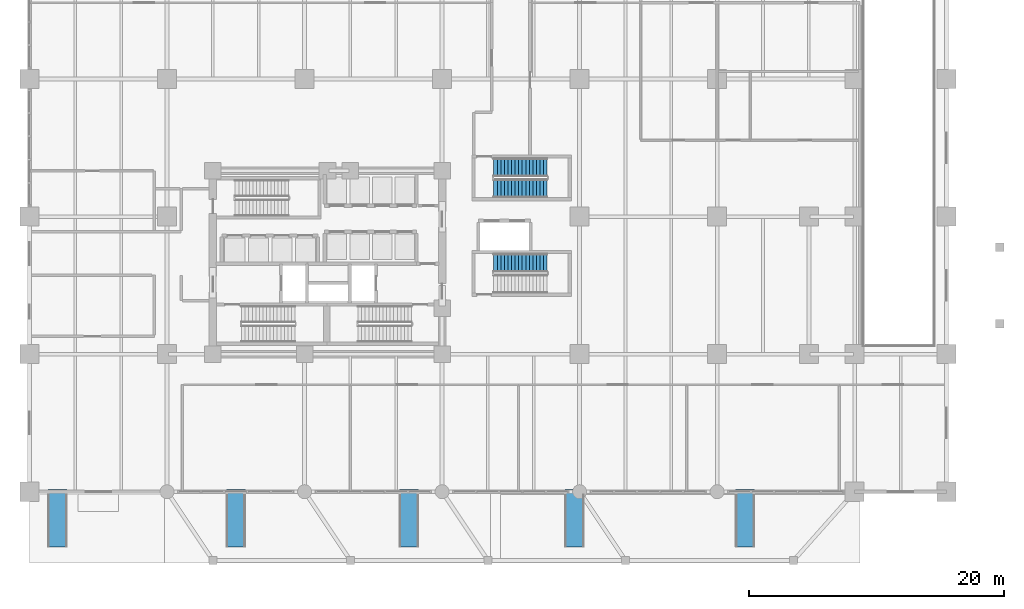
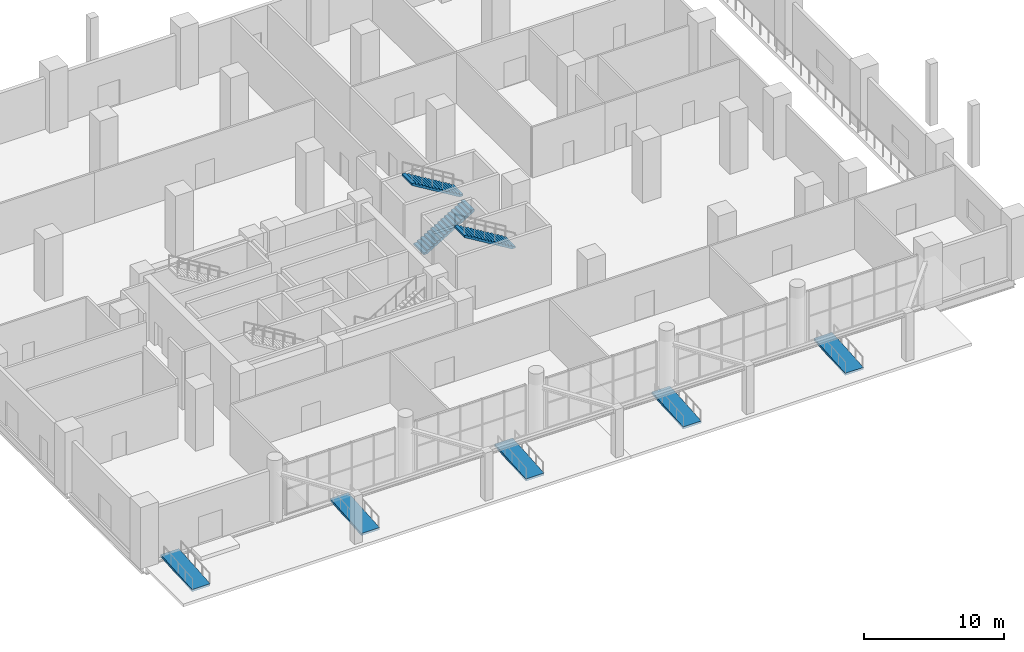
# One storey, part 17 of 22: 5 ramp flights, 3 stair flights, 7 elements without a shape of their own.
"""IFC4 building model written with IfcOpenShell, lengths in metres."""

from ifc_helpers import new_model, si_unit, direction, frame, origin, place, context, subcontext, project, spatial, polyline, outline, extrude, material, layer, layer_set, type_object, element, aggregate, save


model = new_model("IFC4")

# Units and contexts
model_context = context("Model", 3, precision=1e-05, world=origin(), true_north=direction((0.0, 1.0)))
body_context = subcontext(model_context, "Body", "Model", "MODEL_VIEW")
ifc_project = project(units=[si_unit("LENGTHUNIT", "METRE"), si_unit("AREAUNIT", "SQUARE_METRE"), si_unit("VOLUMEUNIT", "CUBIC_METRE"), si_unit("PLANEANGLEUNIT", "RADIAN"), si_unit("MASSUNIT", "GRAM", prefix="KILO")], contexts=[model_context])

# Site, building, storey
site_placement = place(None, origin())
site = spatial("IfcSite", under=ifc_project, at=site_placement, CompositionType="ELEMENT")
building_placement = place(site_placement, origin())
building = spatial("IfcBuilding", under=site, at=building_placement, Name="Solnavia Interchange Tower", CompositionType="ELEMENT")
storey_placement = place(building_placement, origin())
storey = spatial("IfcBuildingStorey", under=building, at=storey_placement, Name="L00", CompositionType="ELEMENT", Elevation=0.0)

# Stair, stair flight
ifc_material = material(Name="Concrete C40/50", Category="concrete")
stair_type = type_object("IfcStairType", Name="Stair-Dogleg-RC", PredefinedType="HALF_TURN_STAIR", material=ifc_material)
stair_1_placement = place(storey_placement, origin())
stair_1 = element("IfcStair", 1, at=stair_1_placement, inside=storey, type_object=stair_type, Name="L00 Podium exit stair 1", PredefinedType="HALF_TURN_STAIR")
stair_flight_type = type_object("IfcStairFlightType", Name="StairFlight-RC-150", PredefinedType="STRAIGHT", material=ifc_material)
stair_flight_1_placement = place(storey_placement, frame((40.64990234375, 17.97509765625, 2.699951171875), z_axis=(0.0, 0.0, 1.0), x_axis=(-1.0, 0.0, 0.0)))
stair_flight_1 = element("IfcStairFlight", 2, at=stair_flight_1_placement, type_object=stair_flight_type, Name="ST-P1 flight 2", NumberOfRisers=16, NumberOfTreads=15, PredefinedType="STRAIGHT", RiserHeight=0.16875, TreadLength=0.28, context=body_context, shape_type="SweptSolid", body=[
    extrude(outline(polyline([(0.0, 0.0), (0.0, 0.168701171875), (0.280029296875, 0.168701171875), (0.280029296875, 0.33740234375), (0.56005859375, 0.33740234375), (0.56005859375, 0.50634765625), (0.840087890625, 0.50634765625), (0.840087890625, 0.675048828125), (1.1201171875, 0.675048828125), (1.1201171875, 0.84375), (1.39990234375, 0.84375), (1.39990234375, 1.012451171875), (1.679931640625, 1.012451171875), (1.679931640625, 1.18115234375), (1.9599609375, 1.18115234375), (1.9599609375, 1.35009765625), (2.239990234375, 1.35009765625), (2.239990234375, 1.518798828125), (2.52001953125, 1.518798828125), (2.52001953125, 1.6875), (2.800048828125, 1.6875), (2.800048828125, 1.856201171875), (3.080078125, 1.856201171875), (3.080078125, 2.02490234375), (3.360107421875, 2.02490234375), (3.360107421875, 2.19384765625), (3.639892578125, 2.19384765625), (3.639892578125, 2.362548828125), (3.919921875, 2.362548828125), (3.919921875, 2.53125), (4.199951171875, 2.53125), (4.199951171875, 2.699951171875), (4.199951171875, 2.356201171875), (0.29052734375, 0.0), (0.0, 0.0)])), frame((0.0, 0.72509765625, 0.0), z_axis=(0.0, -1.0, 0.0), x_axis=(1.0, 0.0, 0.0)), (0.0, 0.0, 1.0), 1.449951171875),
])
aggregate(stair_1, [stair_flight_1])

# Stair, stair flights
stair_2_placement = place(storey_placement, origin())
stair_2 = element("IfcStair", 3, at=stair_2_placement, inside=storey, type_object=stair_type, Name="L00 Podium exit stair 2", PredefinedType="HALF_TURN_STAIR")
stair_flight_2_placement = place(storey_placement, frame((36.449951171875, 23.824951171875, 0.0), z_axis=(0.0, 0.0, 1.0), x_axis=(1.0, 0.0, 0.0)))
stair_flight_2 = element("IfcStairFlight", 4, at=stair_flight_2_placement, type_object=stair_flight_type, Name="ST-P2 flight 1", NumberOfRisers=16, NumberOfTreads=15, PredefinedType="STRAIGHT", RiserHeight=0.16875, TreadLength=0.28, context=body_context, shape_type="SweptSolid", body=[
    extrude(outline(polyline([(0.0, 0.0), (0.0, 0.168701171875), (0.280029296875, 0.168701171875), (0.280029296875, 0.33740234375), (0.56005859375, 0.33740234375), (0.56005859375, 0.50634765625), (0.840087890625, 0.50634765625), (0.840087890625, 0.675048828125), (1.1201171875, 0.675048828125), (1.1201171875, 0.84375), (1.39990234375, 0.84375), (1.39990234375, 1.012451171875), (1.679931640625, 1.012451171875), (1.679931640625, 1.18115234375), (1.9599609375, 1.18115234375), (1.9599609375, 1.35009765625), (2.239990234375, 1.35009765625), (2.239990234375, 1.518798828125), (2.52001953125, 1.518798828125), (2.52001953125, 1.6875), (2.800048828125, 1.6875), (2.800048828125, 1.856201171875), (3.080078125, 1.856201171875), (3.080078125, 2.02490234375), (3.360107421875, 2.02490234375), (3.360107421875, 2.19384765625), (3.639892578125, 2.19384765625), (3.639892578125, 2.362548828125), (3.919921875, 2.362548828125), (3.919921875, 2.53125), (4.199951171875, 2.53125), (4.199951171875, 2.699951171875), (4.199951171875, 2.356201171875), (0.29052734375, 0.0), (0.0, 0.0)])), frame((0.0, 0.72509765625, 0.0), z_axis=(0.0, -1.0, 0.0), x_axis=(1.0, 0.0, 0.0)), (0.0, 0.0, 1.0), 1.449951171875),
])
stair_flight_3_placement = place(storey_placement, frame((40.64990234375, 25.47509765625, 2.699951171875), z_axis=(0.0, 0.0, 1.0), x_axis=(-1.0, 0.0, 0.0)))
stair_flight_3 = element("IfcStairFlight", 5, at=stair_flight_3_placement, type_object=stair_flight_type, Name="ST-P2 flight 2", NumberOfRisers=16, NumberOfTreads=15, PredefinedType="STRAIGHT", RiserHeight=0.16875, TreadLength=0.28, context=body_context, shape_type="SweptSolid", body=[
    extrude(outline(polyline([(0.0, 0.0), (0.0, 0.168701171875), (0.280029296875, 0.168701171875), (0.280029296875, 0.33740234375), (0.56005859375, 0.33740234375), (0.56005859375, 0.50634765625), (0.840087890625, 0.50634765625), (0.840087890625, 0.675048828125), (1.1201171875, 0.675048828125), (1.1201171875, 0.84375), (1.39990234375, 0.84375), (1.39990234375, 1.012451171875), (1.679931640625, 1.012451171875), (1.679931640625, 1.18115234375), (1.9599609375, 1.18115234375), (1.9599609375, 1.35009765625), (2.239990234375, 1.35009765625), (2.239990234375, 1.518798828125), (2.52001953125, 1.518798828125), (2.52001953125, 1.6875), (2.800048828125, 1.6875), (2.800048828125, 1.856201171875), (3.080078125, 1.856201171875), (3.080078125, 2.02490234375), (3.360107421875, 2.02490234375), (3.360107421875, 2.19384765625), (3.639892578125, 2.19384765625), (3.639892578125, 2.362548828125), (3.919921875, 2.362548828125), (3.919921875, 2.53125), (4.199951171875, 2.53125), (4.199951171875, 2.699951171875), (4.199951171875, 2.356201171875), (0.29052734375, 0.0), (0.0, 0.0)])), frame((0.0, 0.72509765625, 0.0), z_axis=(0.0, -1.0, 0.0), x_axis=(1.0, 0.0, 0.0)), (0.0, 0.0, 1.0), 1.449951171875),
])
aggregate(stair_2, [stair_flight_2, stair_flight_3])

# Ramp, ramp flight
ramp_type = type_object("IfcRampType", Name="Ramp-Access-Str", PredefinedType="STRAIGHT_RUN_RAMP", material=ifc_material)
ramp_1_placement = place(storey_placement, origin())
ramp_1 = element("IfcRamp", 6, at=ramp_1_placement, inside=storey, type_object=ramp_type, Name="RMP-L00-A1 Promenade step-free entrance ramp", PredefinedType="STRAIGHT_RUN_RAMP")
ifc_layer = layer(ifc_material, 0.199951171875)
ifc_layer_set = layer_set([ifc_layer], Name="Concrete C40/50")
ramp_flight_type = type_object("IfcRampFlightType", Name="RampFlight-Access-200", PredefinedType="STRAIGHT", material=ifc_layer_set)
ramp_flight_1_placement = place(storey_placement, frame((1.449951171875, -4.35009765625, -0.35009765625), z_axis=(0.0, -0.077565091902, 0.996987290049), x_axis=(1.0, 0.0, 0.0)))
ramp_flight_1 = element("IfcRampFlight", 7, at=ramp_flight_1_placement, type_object=ramp_flight_type, Name="RMP-L00-A1-F1 Accessible threshold ramp flight", PredefinedType="STRAIGHT", context=body_context, shape_type="SweptSolid", body=[
    extrude(outline(polyline([(0.0, 0.0), (1.5, 0.0), (1.5, 4.513598162099916), (0.0, 4.513598162099916), (0.0, 0.0)])), origin(), (0.0, 0.0, -1.0), 0.199951171875),
])
aggregate(ramp_1, [ramp_flight_1])

ramp_2_placement = place(storey_placement, origin())
ramp_2 = element("IfcRamp", 8, at=ramp_2_placement, inside=storey, type_object=ramp_type, Name="RMP-L00-A2 Promenade step-free entrance ramp", PredefinedType="STRAIGHT_RUN_RAMP")
ramp_flight_2_placement = place(storey_placement, frame((15.449951171875, -4.35009765625, -0.35009765625), z_axis=(0.0, -0.077565091902, 0.996987290049), x_axis=(1.0, 0.0, 0.0)))
ramp_flight_2 = element("IfcRampFlight", 9, at=ramp_flight_2_placement, type_object=ramp_flight_type, Name="RMP-L00-A2-F1 Accessible threshold ramp flight", PredefinedType="STRAIGHT", context=body_context, shape_type="SweptSolid", body=[
    extrude(outline(polyline([(0.0, 0.0), (1.5, 0.0), (1.5, 4.513598162099916), (0.0, 4.513598162099916), (0.0, 0.0)])), origin(), (0.0, 0.0, -1.0), 0.199951171875),
])
aggregate(ramp_2, [ramp_flight_2])

ramp_3_placement = place(storey_placement, origin())
ramp_3 = element("IfcRamp", 10, at=ramp_3_placement, inside=storey, type_object=ramp_type, Name="RMP-L00-A3 Promenade step-free entrance ramp", PredefinedType="STRAIGHT_RUN_RAMP")
ramp_flight_3_placement = place(storey_placement, frame((29.050048828125, -4.35009765625, -0.35009765625), z_axis=(0.0, -0.077565091902, 0.996987290049), x_axis=(1.0, 0.0, 0.0)))
ramp_flight_3 = element("IfcRampFlight", 11, at=ramp_flight_3_placement, type_object=ramp_flight_type, Name="RMP-L00-A3-F1 Accessible threshold ramp flight", PredefinedType="STRAIGHT", context=body_context, shape_type="SweptSolid", body=[
    extrude(outline(polyline([(0.0, 0.0), (1.5, 0.0), (1.5, 4.513598162099916), (0.0, 4.513598162099916), (0.0, 0.0)])), origin(), (0.0, 0.0, -1.0), 0.199951171875),
])
aggregate(ramp_3, [ramp_flight_3])

ramp_4_placement = place(storey_placement, origin())
ramp_4 = element("IfcRamp", 12, at=ramp_4_placement, inside=storey, type_object=ramp_type, Name="RMP-L00-A4 Promenade step-free entrance ramp", PredefinedType="STRAIGHT_RUN_RAMP")
ramp_flight_4_placement = place(storey_placement, frame((42.050048828125, -4.35009765625, -0.35009765625), z_axis=(0.0, -0.077565091902, 0.996987290049), x_axis=(1.0, 0.0, 0.0)))
ramp_flight_4 = element("IfcRampFlight", 13, at=ramp_flight_4_placement, type_object=ramp_flight_type, Name="RMP-L00-A4-F1 Accessible threshold ramp flight", PredefinedType="STRAIGHT", context=body_context, shape_type="SweptSolid", body=[
    extrude(outline(polyline([(0.0, 0.0), (1.5, 0.0), (1.5, 4.513598162099916), (0.0, 4.513598162099916), (0.0, 0.0)])), origin(), (0.0, 0.0, -1.0), 0.199951171875),
])
aggregate(ramp_4, [ramp_flight_4])

ramp_5_placement = place(storey_placement, origin())
ramp_5 = element("IfcRamp", 14, at=ramp_5_placement, inside=storey, type_object=ramp_type, Name="RMP-L00-A5 Promenade step-free entrance ramp", PredefinedType="STRAIGHT_RUN_RAMP")
ramp_flight_5_placement = place(storey_placement, frame((55.449951171875, -4.35009765625, -0.35009765625), z_axis=(0.0, -0.077565091902, 0.996987290049), x_axis=(1.0, 0.0, 0.0)))
ramp_flight_5 = element("IfcRampFlight", 15, at=ramp_flight_5_placement, type_object=ramp_flight_type, Name="RMP-L00-A5-F1 Accessible threshold ramp flight", PredefinedType="STRAIGHT", context=body_context, shape_type="SweptSolid", body=[
    extrude(outline(polyline([(0.0, 0.0), (1.5, 0.0), (1.5, 4.513598162099916), (0.0, 4.513598162099916), (0.0, 0.0)])), origin(), (0.0, 0.0, -1.0), 0.199951171875),
])
aggregate(ramp_5, [ramp_flight_5])

save(model, "model.ifc")
